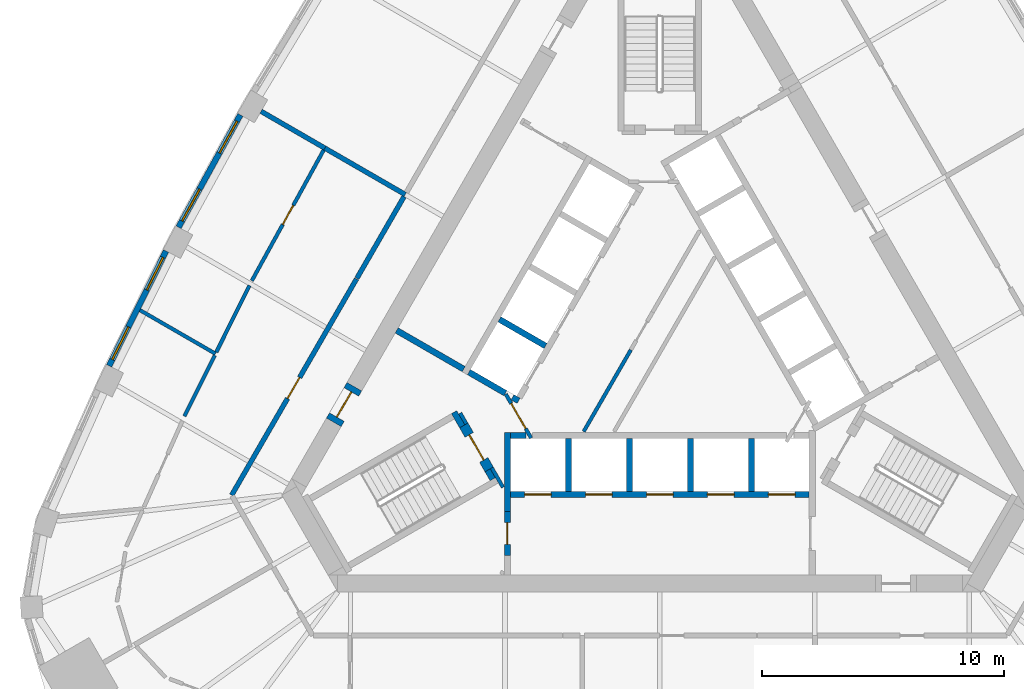
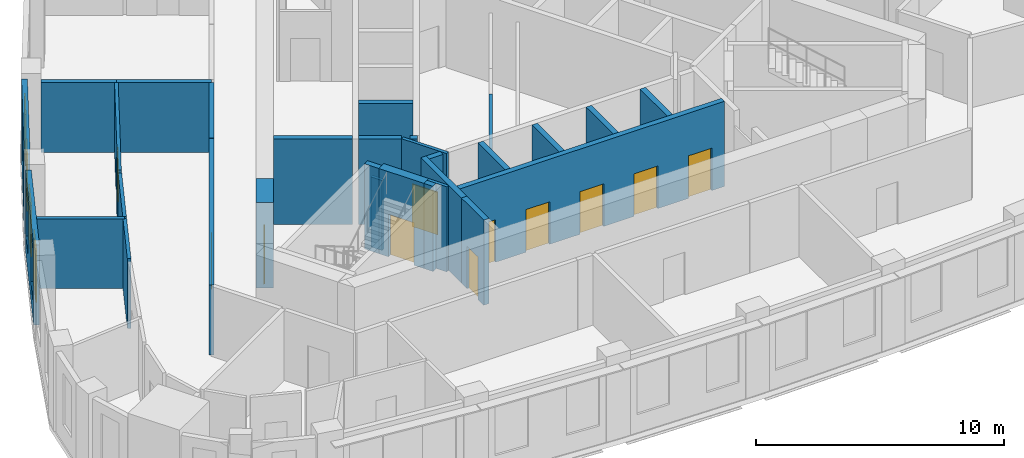
# One storey, part 4 of 10: 30 walls, 11 doors, 4 windows, 15 openings.
"""IFC4 building model written with IfcOpenShell, lengths in metres."""

from ifc_helpers import new_model, si_unit, direction, frame, frame_2d, origin, place, context, subcontext, project, spatial, rectangle, extrude, material, layer, layer_set, type_object, element, fill, save


model = new_model("IFC4")

# Units and contexts
model_context = context("Model", 3, precision=1e-05, world=origin(), true_north=direction((0.0, 1.0)))
body_context = subcontext(model_context, "Body", "Model", "MODEL_VIEW")
ifc_project = project(units=[si_unit("LENGTHUNIT", "METRE"), si_unit("AREAUNIT", "SQUARE_METRE"), si_unit("VOLUMEUNIT", "CUBIC_METRE"), si_unit("PLANEANGLEUNIT", "RADIAN"), si_unit("MASSUNIT", "GRAM", prefix="KILO")], contexts=[model_context])

# Site, building, storey
site_placement = place(None, origin())
site = spatial("IfcSite", under=ifc_project, at=site_placement, CompositionType="ELEMENT")
building_placement = place(site_placement, origin())
building = spatial("IfcBuilding", under=site, at=building_placement, Name="Mestral Congress Tower", CompositionType="ELEMENT")
storey_placement = place(building_placement, frame((0.0, 0.0, 222.60009765625)))
storey = spatial("IfcBuildingStorey", under=building, at=storey_placement, Name="L52", CompositionType="ELEMENT", Elevation=222.60009765625)

# Walls
ifc_material_1 = material(Name="Fire-rated board partition")
ifc_layer_1 = layer(ifc_material_1, 0.14990234375)
ifc_layer_set_1 = layer_set([ifc_layer_1], Name="Fire-rated board partition")
wall_type_1 = type_object("IfcWallType", Name="Core partition 150", PredefinedType="PARTITIONING", material=ifc_layer_set_1)
wall_1_placement = place(storey_placement, frame((-8.251953125, -2.958251953125, 0.0), z_axis=(0.0, 0.0, 1.0), x_axis=(0.500174715838, -0.865924508047, 0.0)))
element("IfcWall", 1, at=wall_1_placement, inside=storey, type_object=wall_type_1, Name="L52 core wall", PredefinedType="PARTITIONING", context=body_context, shape_type="SweptSolid", body=[
    extrude(rectangle(XDim=0.513916015625, YDim=0.14990234375, at=frame_2d((0.2568359375, 0.0))), origin(), (0.0, 0.0, 1.0), 3.449951171875),
])
wall_2_placement = place(storey_placement, frame((-3.146728515625, -3.71826171875, 0.0), z_axis=(0.0, 0.0, 1.0), x_axis=(0.500010131483, 0.866019554291, 0.0)))
element("IfcWall", 2, at=wall_2_placement, inside=storey, type_object=wall_type_1, Name="L52 core wall", PredefinedType="PARTITIONING", context=body_context, shape_type="SweptSolid", body=[
    extrude(rectangle(XDim=3.8935546875, YDim=0.14990234375, at=frame_2d((1.94677734375, 0.0))), origin(), (0.0, 0.0, 1.0), 3.449951171875),
])

# Wall, opening, door
ifc_material_2 = material(Name="Concrete C60/75", Category="concrete")
ifc_layer_2 = layer(ifc_material_2, 0.699951171875)
ifc_layer_set_2 = layer_set([ifc_layer_2], Name="Concrete C60/75")
wall_type_2 = type_object("IfcWallType", Name="Core wall RC 700", PredefinedType="SOLIDWALL", material=ifc_layer_set_2)
wall_3_placement = place(storey_placement, frame((-13.474853515625, -3.339111328125, 0.0), z_axis=(0.0, 0.0, 1.0), x_axis=(0.499954529098, 0.86605165483, 0.0)))
wall_3 = element("IfcWall", 3, at=wall_3_placement, inside=storey, type_object=wall_type_2, Name="L52 door wall", PredefinedType="SOLIDWALL", context=body_context, shape_type="SweptSolid", body=[
    extrude(rectangle(XDim=1.699951171875, YDim=0.699951171875, at=frame_2d((0.85009765625, 0.0))), origin(), (0.0, 0.0, 1.0), 4.199951171875),
])
opening_1_placement = place(wall_3_placement, frame((0.25, 0.0, 0.0)))
opening_1 = element("IfcOpeningElement", 4, at=opening_1_placement, cuts=wall_3, Name="Opening XD3", PredefinedType="OPENING", context=body_context, shape_type="SweptSolid", body=[
    extrude(rectangle(XDim=1.199951171875, YDim=2.10009765625, at=frame_2d((0.60009765625, 1.050048828125))), frame((0.0, 0.35986328125, 0.0), z_axis=(0.0, -1.0, 0.0), x_axis=(1.0, 0.0, 0.0)), (0.0, 0.0, 1.0), 0.719970703125),
])
ifc_material_3 = material(Name="Fire-rated steel door set", Category="steel")
door_type_1 = type_object("IfcDoorType", Name="Core door XD 1200x2100", OperationType="SINGLE_SWING_LEFT", PredefinedType="DOOR", material=ifc_material_3)
door_1_placement = place(opening_1_placement, origin())
door_1 = element("IfcDoor", 5, at=door_1_placement, inside=storey, type_object=door_type_1, Name="Door XD3", OperationType="SINGLE_SWING_LEFT", OverallHeight=2.10009765625, OverallWidth=1.199951171875, PredefinedType="DOOR", context=body_context, shape_type="SweptSolid", body=[
    extrude(rectangle(XDim=1.199951171875, YDim=2.10009765625, at=frame_2d((0.60009765625, 1.050048828125))), frame((0.0, 0.02490234375, 0.0), z_axis=(0.0, -1.0, 0.0), x_axis=(1.0, 0.0, 0.0)), (0.0, 0.0, 1.0), 0.050048828125),
])
fill(opening_1, door_1)

# Wall, openings, windows
ifc_material_4 = material(Name="Precast concrete C40/50 with limestone facing", Category="masonry")
ifc_layer_3 = layer(ifc_material_4, 0.239990234375)
ifc_layer_set_3 = layer_set([ifc_layer_3], Name="Precast concrete C40/50 with limestone facing")
wall_type_3 = type_object("IfcWallType", Name="Facade stone wall 240", PredefinedType="SOLIDWALL", material=ifc_layer_set_3)
wall_4_placement = place(storey_placement, frame((-17.338134765625, 9.367919921875, 0.0), z_axis=(0.0, 0.0, 1.0), x_axis=(-0.481925825015, -0.876212017256, 0.0)))
wall_4 = element("IfcWall", 6, at=wall_4_placement, inside=storey, type_object=wall_type_3, Name="Facade wall F2-03", PredefinedType="SOLIDWALL", context=body_context, shape_type="SweptSolid", body=[
    extrude(rectangle(XDim=5.298583984375, YDim=0.239990234375, at=frame_2d((2.6494140625, 0.0))), origin(), (0.0, 0.0, 1.0), 3.949951171875),
])
opening_2_placement = place(wall_4_placement, frame((0.294677734375, 0.0, 0.89990234375)))
opening_2 = element("IfcOpeningElement", 7, at=opening_2_placement, cuts=wall_4, Name="Opening W4", PredefinedType="OPENING", context=body_context, shape_type="SweptSolid", body=[
    extrude(rectangle(XDim=1.5, YDim=2.550048828125, at=frame_2d((0.75, 1.27490234375))), frame((0.0, 0.1298828125, 0.0), z_axis=(0.0, -1.0, 0.0), x_axis=(1.0, 0.0, 0.0)), (0.0, 0.0, 1.0), 0.260009765625),
])
opening_3_placement = place(wall_4_placement, frame((3.503662109375, 0.0, 0.89990234375)))
opening_3 = element("IfcOpeningElement", 8, at=opening_3_placement, cuts=wall_4, Name="Opening W4", PredefinedType="OPENING", context=body_context, shape_type="SweptSolid", body=[
    extrude(rectangle(XDim=1.5, YDim=2.550048828125, at=frame_2d((0.75, 1.27490234375))), frame((0.0, 0.1298828125, 0.0), z_axis=(0.0, -1.0, 0.0), x_axis=(1.0, 0.0, 0.0)), (0.0, 0.0, 1.0), 0.260009765625),
])
ifc_material_5 = material(Name="Clear low-emissivity double glazing", Category="glass")
window_type = type_object("IfcWindowType", Name="Facade punched window 1500 x 2550 sill 900", PartitioningType="SINGLE_PANEL", PredefinedType="WINDOW", material=ifc_material_5)
window_1_placement = place(opening_2_placement, origin())
window_1 = element("IfcWindow", 9, at=window_1_placement, inside=storey, type_object=window_type, Name="Window F2-03a", OverallHeight=2.550048828125, OverallWidth=1.5, PartitioningType="SINGLE_PANEL", PredefinedType="WINDOW", context=body_context, shape_type="SweptSolid", body=[
    extrude(rectangle(XDim=1.5, YDim=2.550048828125, at=frame_2d((0.75, 1.27490234375))), frame((0.0, 0.0400390625, 0.0), z_axis=(0.0, -1.0, 0.0), x_axis=(1.0, 0.0, 0.0)), (0.0, 0.0, 1.0), 0.06005859375),
])
fill(opening_2, window_1)
window_2_placement = place(opening_3_placement, origin())
window_2 = element("IfcWindow", 10, at=window_2_placement, inside=storey, type_object=window_type, Name="Window F2-03b", OverallHeight=2.550048828125, OverallWidth=1.5, PartitioningType="SINGLE_PANEL", PredefinedType="WINDOW", context=body_context, shape_type="SweptSolid", body=[
    extrude(rectangle(XDim=1.5, YDim=2.550048828125, at=frame_2d((0.75, 1.27490234375))), frame((0.0, 0.0400390625, 0.0), z_axis=(0.0, -1.0, 0.0), x_axis=(1.0, 0.0, 0.0)), (0.0, 0.0, 1.0), 0.06005859375),
])
fill(opening_3, window_2)

wall_5_placement = place(storey_placement, frame((-20.407470703125, 3.739501953125, 0.0), z_axis=(0.0, 0.0, 1.0), x_axis=(-0.445129582031, -0.895466166419, 0.0)))
wall_5 = element("IfcWall", 11, at=wall_5_placement, inside=storey, type_object=wall_type_3, Name="Facade wall F2-04", PredefinedType="SOLIDWALL", context=body_context, shape_type="SweptSolid", body=[
    extrude(rectangle(XDim=5.29833984375, YDim=0.239990234375, at=frame_2d((2.649169921875, 0.0))), origin(), (0.0, 0.0, 1.0), 3.949951171875),
])
opening_4_placement = place(wall_5_placement, frame((0.294677734375, 0.0, 0.89990234375)))
opening_4 = element("IfcOpeningElement", 12, at=opening_4_placement, cuts=wall_5, Name="Opening W4", PredefinedType="OPENING", context=body_context, shape_type="SweptSolid", body=[
    extrude(rectangle(XDim=1.5, YDim=2.550048828125, at=frame_2d((0.75, 1.27490234375))), frame((0.0, 0.1298828125, 0.0), z_axis=(0.0, -1.0, 0.0), x_axis=(1.0, 0.0, 0.0)), (0.0, 0.0, 1.0), 0.260009765625),
])
opening_5_placement = place(wall_5_placement, frame((3.503662109375, 0.0, 0.89990234375)))
opening_5 = element("IfcOpeningElement", 13, at=opening_5_placement, cuts=wall_5, Name="Opening W4", PredefinedType="OPENING", context=body_context, shape_type="SweptSolid", body=[
    extrude(rectangle(XDim=1.5, YDim=2.550048828125, at=frame_2d((0.75, 1.27490234375))), frame((0.0, 0.1298828125, 0.0), z_axis=(0.0, -1.0, 0.0), x_axis=(1.0, 0.0, 0.0)), (0.0, 0.0, 1.0), 0.260009765625),
])
window_3_placement = place(opening_4_placement, origin())
window_3 = element("IfcWindow", 14, at=window_3_placement, inside=storey, type_object=window_type, Name="Window F2-04a", OverallHeight=2.550048828125, OverallWidth=1.5, PartitioningType="SINGLE_PANEL", PredefinedType="WINDOW", context=body_context, shape_type="SweptSolid", body=[
    extrude(rectangle(XDim=1.5, YDim=2.550048828125, at=frame_2d((0.75, 1.27490234375))), frame((0.0, 0.0400390625, 0.0), z_axis=(0.0, -1.0, 0.0), x_axis=(1.0, 0.0, 0.0)), (0.0, 0.0, 1.0), 0.06005859375),
])
fill(opening_4, window_3)
window_4_placement = place(opening_5_placement, origin())
window_4 = element("IfcWindow", 15, at=window_4_placement, inside=storey, type_object=window_type, Name="Window F2-04b", OverallHeight=2.550048828125, OverallWidth=1.5, PartitioningType="SINGLE_PANEL", PredefinedType="WINDOW", context=body_context, shape_type="SweptSolid", body=[
    extrude(rectangle(XDim=1.5, YDim=2.550048828125, at=frame_2d((0.75, 1.27490234375))), frame((0.0, 0.0400390625, 0.0), z_axis=(0.0, -1.0, 0.0), x_axis=(1.0, 0.0, 0.0)), (0.0, 0.0, 1.0), 0.06005859375),
])
fill(opening_5, window_4)

# Wall
ifc_material_6 = material(Name="Plasterboard partition on steel studs", Category="steel")
ifc_layer_4 = layer(ifc_material_6, 0.14990234375)
ifc_layer_set_4 = layer_set([ifc_layer_4], Name="Plasterboard partition on steel studs")
wall_type_4 = type_object("IfcWallType", Name="Office partition 150", PredefinedType="PARTITIONING", material=ifc_layer_set_4)
wall_6_placement = place(storey_placement, frame((-18.36328125, -0.505859375, 0.0), z_axis=(0.0, 0.0, 1.0), x_axis=(-0.866048087663, 0.499960708312, 0.0)))
element("IfcWall", 16, at=wall_6_placement, inside=storey, type_object=wall_type_4, Name="Partition", PredefinedType="PARTITIONING", context=body_context, shape_type="SweptSolid", body=[
    extrude(rectangle(XDim=3.607177734375, YDim=0.14990234375, at=frame_2d((1.8037109375, 0.0))), origin(), (0.0, 0.0, 1.0), 3.449951171875),
])

# Wall, opening, door
wall_7_placement = place(storey_placement, frame((-16.86279296875, 2.5126953125, 0.0), z_axis=(0.0, 0.0, 1.0), x_axis=(0.48192483879, 0.876212559689, 0.0)))
wall_7 = element("IfcWall", 17, at=wall_7_placement, inside=storey, type_object=wall_type_4, Name="Partition", PredefinedType="PARTITIONING", context=body_context, shape_type="SweptSolid", body=[
    extrude(rectangle(XDim=6.15673828125, YDim=0.14990234375, at=frame_2d((3.078369140625, 0.0))), origin(), (0.0, 0.0, 1.0), 3.449951171875),
])
opening_6_placement = place(wall_7_placement, frame((2.65673828125, 0.0, 0.0)))
opening_6 = element("IfcOpeningElement", 18, at=opening_6_placement, cuts=wall_7, Name="Opening O07-013", PredefinedType="OPENING", context=body_context, shape_type="SweptSolid", body=[
    extrude(rectangle(XDim=0.89990234375, YDim=2.10009765625, at=frame_2d((0.449951171875, 1.050048828125))), frame((0.0, 0.0849609375, 0.0), z_axis=(0.0, -1.0, 0.0), x_axis=(1.0, 0.0, 0.0)), (0.0, 0.0, 1.0), 0.169921875),
])
ifc_material_7 = material(Name="Timber door set", Category="wood")
door_type_2 = type_object("IfcDoorType", Name="Office door 900x2100", OperationType="SINGLE_SWING_LEFT", PredefinedType="DOOR", material=ifc_material_7)
door_2_placement = place(opening_6_placement, origin())
door_2 = element("IfcDoor", 19, at=door_2_placement, inside=storey, type_object=door_type_2, Name="Door O07-013", OperationType="SINGLE_SWING_RIGHT", OverallHeight=2.10009765625, OverallWidth=0.89990234375, PredefinedType="DOOR", context=body_context, shape_type="SweptSolid", body=[
    extrude(rectangle(XDim=0.89990234375, YDim=2.10009765625, at=frame_2d((0.449951171875, 1.050048828125))), frame((0.0, 0.02490234375, 0.0), z_axis=(0.0, -1.0, 0.0), x_axis=(1.0, 0.0, 0.0)), (0.0, 0.0, 1.0), 0.050048828125),
])
fill(opening_6, door_2)

# Walls
wall_8_placement = place(storey_placement, frame((-16.958251953125, 2.32080078125, 0.0), z_axis=(0.0, 0.0, 1.0), x_axis=(-0.445184199442, -0.895439014432, 0.0)))
element("IfcWall", 20, at=wall_8_placement, inside=storey, type_object=wall_type_4, Name="Partition", PredefinedType="PARTITIONING", context=body_context, shape_type="SweptSolid", body=[
    extrude(rectangle(XDim=3.08154296875, YDim=0.14990234375, at=frame_2d((1.540771484375, 0.0))), origin(), (0.0, 0.0, 1.0), 3.449951171875),
])
wall_9_placement = place(storey_placement, frame((-18.39697265625, -0.572998046875, 0.0), z_axis=(0.0, 0.0, 1.0), x_axis=(-0.445162501923, -0.89544980143, 0.0)))
element("IfcWall", 21, at=wall_9_placement, inside=storey, type_object=wall_type_4, Name="Partition", PredefinedType="PARTITIONING", context=body_context, shape_type="SweptSolid", body=[
    extrude(rectangle(XDim=2.810791015625, YDim=0.14990234375, at=frame_2d((1.4052734375, 0.0))), origin(), (0.0, 0.0, 1.0), 3.449951171875),
])
ifc_material_8 = material(Name="Dense masonry wall, plastered", Category="masonry")
ifc_layer_5 = layer(ifc_material_8, 0.199951171875)
ifc_layer_set_5 = layer_set([ifc_layer_5], Name="Dense masonry wall, plastered")
wall_type_5 = type_object("IfcWallType", Name="Office tenancy wall 200", PredefinedType="PARTITIONING", material=ifc_layer_set_5)
wall_10_placement = place(storey_placement, frame((-13.84423828125, 7.992919921875, 0.0), z_axis=(0.0, 0.0, 1.0), x_axis=(-0.866003976688, 0.500037110984, 0.0)))
element("IfcWall", 22, at=wall_10_placement, inside=storey, type_object=wall_type_5, Name="Tenancy wall", PredefinedType="PARTITIONING", context=body_context, shape_type="SweptSolid", body=[
    extrude(rectangle(XDim=3.044677734375, YDim=0.199951171875, at=frame_2d((1.5224609375, 0.0))), origin(), (0.0, 0.0, 1.0), 3.449951171875),
])
wall_11_placement = place(storey_placement, frame((-10.522216796875, 6.074951171875, 0.0), z_axis=(0.0, 0.0, 1.0), x_axis=(-0.866002601515, 0.500039492609, 0.0)))
element("IfcWall", 23, at=wall_11_placement, inside=storey, type_object=wall_type_5, Name="Tenancy wall", PredefinedType="PARTITIONING", context=body_context, shape_type="SweptSolid", body=[
    extrude(rectangle(XDim=3.843994140625, YDim=0.199951171875, at=frame_2d((1.921875, 0.0))), origin(), (0.0, 0.0, 1.0), 3.449951171875),
])
wall_12_placement = place(storey_placement, frame((-10.572265625, 5.98828125, 0.0), z_axis=(0.0, 0.0, 1.0), x_axis=(-0.499997012787, -0.866027128446, 0.0)))
element("IfcWall", 24, at=wall_12_placement, inside=storey, type_object=wall_type_5, Name="Tenancy wall", PredefinedType="PARTITIONING", context=body_context, shape_type="SweptSolid", body=[
    extrude(rectangle(XDim=3.89990234375, YDim=0.199951171875, at=frame_2d((1.949951171875, 0.0))), origin(), (0.0, 0.0, 1.0), 3.449951171875),
])

# Wall, opening, door
wall_13_placement = place(storey_placement, frame((-12.537109375, 2.5849609375, 0.0), z_axis=(0.0, 0.0, 1.0), x_axis=(-0.500002393198, -0.866024022066, 0.0)))
wall_13 = element("IfcWall", 25, at=wall_13_placement, inside=storey, type_object=wall_type_5, Name="Tenancy wall", PredefinedType="PARTITIONING", context=body_context, shape_type="SweptSolid", body=[
    extrude(rectangle(XDim=10.3173828125, YDim=0.199951171875, at=frame_2d((5.15869140625, 0.0))), origin(), (0.0, 0.0, 1.0), 3.449951171875),
])
opening_7_placement = place(wall_13_placement, frame((4.699951171875, 0.0, 0.0)))
opening_7 = element("IfcOpeningElement", 26, at=opening_7_placement, cuts=wall_13, Name="Opening O07-016", PredefinedType="OPENING", context=body_context, shape_type="SweptSolid", body=[
    extrude(rectangle(XDim=1.0, YDim=2.10009765625, at=frame_2d((0.5, 1.050048828125))), frame((0.0, 0.10986328125, 0.0), z_axis=(0.0, -1.0, 0.0), x_axis=(1.0, 0.0, 0.0)), (0.0, 0.0, 1.0), 0.219970703125),
])
ifc_material_9 = material(Name="Fire-rated timber door set", Category="wood")
door_type_3 = type_object("IfcDoorType", Name="Office tenancy entrance door 1000x2100", OperationType="SINGLE_SWING_LEFT", PredefinedType="DOOR", material=ifc_material_9)
door_3_placement = place(opening_7_placement, origin())
door_3 = element("IfcDoor", 27, at=door_3_placement, inside=storey, type_object=door_type_3, Name="Door O07-016", OperationType="SINGLE_SWING_RIGHT", OverallHeight=2.10009765625, OverallWidth=1.0, PredefinedType="DOOR", context=body_context, shape_type="SweptSolid", body=[
    extrude(rectangle(XDim=1.0, YDim=2.10009765625, at=frame_2d((0.5, 1.050048828125))), frame((0.0, 0.02490234375, 0.0), z_axis=(0.0, -1.0, 0.0), x_axis=(1.0, 0.0, 0.0)), (0.0, 0.0, 1.0), 0.050048828125),
])
fill(opening_7, door_3)

# Walls
ifc_layer_6 = layer(ifc_material_2, 0.25)
ifc_layer_set_6 = layer_set([ifc_layer_6], Name="Concrete C60/75")
wall_type_6 = type_object("IfcWallType", Name="Shaft wall RC 250", PredefinedType="SOLIDWALL", material=ifc_layer_set_6)
for number, where, z_axis, x_axis, name in (
    (28, (3.780029296875, -4.0, 0.0), (0.0, 0.0, 1.0), (0.0, -1.0, 0.0), "L52 core wall"),
    (29, (1.260009765625, -4.0, 0.0), (0.0, 0.0, 1.0), (0.0, -1.0, 0.0), "L52 core wall"),
    (30, (-1.260009765625, -4.0, 0.0), (0.0, 0.0, 1.0), (0.0, -1.0, 0.0), "L52 core wall"),
    (31, (-3.780029296875, -4.0, 0.0), (0.0, 0.0, 1.0), (0.0, -1.0, 0.0), "L52 core wall"),
):
    element("IfcWall", number, at=place(storey_placement, frame(where, z_axis=z_axis, x_axis=x_axis)), inside=storey, type_object=wall_type_6, Name=name, PredefinedType="SOLIDWALL", context=body_context, shape_type="SweptSolid", body=[
        extrude(rectangle(XDim=2.199951171875, YDim=0.25, at=frame_2d((1.10009765625, 0.0))), origin(), (0.0, 0.0, 1.0), 4.199951171875),
    ])
wall_14_placement = place(storey_placement, frame((-6.300048828125, -7.033447265625, 0.0), z_axis=(0.0, 0.0, 1.0), x_axis=(0.0, 1.0, 0.0)))
element("IfcWall", 32, at=wall_14_placement, inside=storey, type_object=wall_type_6, Name="L52 core wall", PredefinedType="SOLIDWALL", context=body_context, shape_type="SweptSolid", body=[
    extrude(rectangle(XDim=3.283447265625, YDim=0.25, at=frame_2d((1.6416015625, 0.0))), origin(), (0.0, 0.0, 1.0), 4.199951171875),
])
wall_15_placement = place(storey_placement, frame((-6.175048828125, -3.875, 0.0), z_axis=(0.0, 0.0, 1.0), x_axis=(1.0, 0.0, 0.0)))
element("IfcWall", 33, at=wall_15_placement, inside=storey, type_object=wall_type_6, Name="L52 core wall", PredefinedType="SOLIDWALL", context=body_context, shape_type="SweptSolid", body=[
    extrude(rectangle(XDim=0.63671875, YDim=0.25, at=frame_2d((0.318359375, 0.0))), origin(), (0.0, 0.0, 1.0), 4.199951171875),
])
wall_16_placement = place(storey_placement, frame((-4.72412109375, -0.182373046875, 0.0), z_axis=(0.0, 0.0, 1.0), x_axis=(-0.866008176907, 0.50002983664, 0.0)))
element("IfcWall", 34, at=wall_16_placement, inside=storey, type_object=wall_type_6, Name="L52 core wall", PredefinedType="SOLIDWALL", context=body_context, shape_type="SweptSolid", body=[
    extrude(rectangle(XDim=2.199951171875, YDim=0.25, at=frame_2d((1.10009765625, 0.0))), origin(), (0.0, 0.0, 1.0), 4.199951171875),
])
wall_17_placement = place(storey_placement, frame((-6.088134765625, -2.3046875, 0.0), z_axis=(0.0, 0.0, 1.0), x_axis=(0.866059450854, -0.499941024108, 0.0)))
element("IfcWall", 35, at=wall_17_placement, inside=storey, type_object=wall_type_6, Name="L52 core wall", PredefinedType="SOLIDWALL", context=body_context, shape_type="SweptSolid", body=[
    extrude(rectangle(XDim=0.2900390625, YDim=0.25, at=frame_2d((0.14501953125, 0.0))), origin(), (0.0, 0.0, 1.0), 4.199951171875),
])
wall_18_placement = place(storey_placement, frame((-7.889404296875, -1.2646484375, 0.0), z_axis=(0.0, 0.0, 1.0), x_axis=(0.865986741702, -0.500066958712, 0.0)))
element("IfcWall", 36, at=wall_18_placement, inside=storey, type_object=wall_type_6, Name="L52 core wall", PredefinedType="SOLIDWALL", context=body_context, shape_type="SweptSolid", body=[
    extrude(rectangle(XDim=1.738037109375, YDim=0.25, at=frame_2d((0.869140625, 0.0))), origin(), (0.0, 0.0, 1.0), 4.199951171875),
])
wall_19_placement = place(storey_placement, frame((-8.10595703125, -1.139892578125, 0.0), z_axis=(0.0, 0.0, 1.0), x_axis=(-0.866008981251, 0.500028443584, 0.0)))
element("IfcWall", 37, at=wall_19_placement, inside=storey, type_object=wall_type_6, Name="L52 core wall", PredefinedType="SOLIDWALL", context=body_context, shape_type="SweptSolid", body=[
    extrude(rectangle(XDim=3.199951171875, YDim=0.25, at=frame_2d((1.60009765625, 0.0))), origin(), (0.0, 0.0, 1.0), 4.199951171875),
])

# Wall, openings, doors
wall_20_placement = place(storey_placement, frame((-6.175048828125, -6.324951171875, 0.0), z_axis=(0.0, 0.0, 1.0), x_axis=(1.0, 0.0, 0.0)))
wall_20 = element("IfcWall", 38, at=wall_20_placement, inside=storey, type_object=wall_type_6, Name="L52 door wall", PredefinedType="SOLIDWALL", context=body_context, shape_type="SweptSolid", body=[
    extrude(rectangle(XDim=12.35009765625, YDim=0.25, at=frame_2d((6.175048828125, 0.0))), origin(), (0.0, 0.0, 1.0), 4.199951171875),
])
opening_8_placement = place(wall_20_placement, frame((0.5849609375, 0.0, 0.0)))
opening_8 = element("IfcOpeningElement", 39, at=opening_8_placement, cuts=wall_20, Name="Opening LD-SOB1", PredefinedType="OPENING", context=body_context, shape_type="SweptSolid", body=[
    extrude(rectangle(XDim=1.10009765625, YDim=2.10009765625, at=frame_2d((0.550048828125, 1.050048828125))), frame((0.0, 0.135009765625, 0.0), z_axis=(0.0, -1.0, 0.0), x_axis=(1.0, 0.0, 0.0)), (0.0, 0.0, 1.0), 0.27001953125),
])
opening_9_placement = place(wall_20_placement, frame((3.10498046875, 0.0, 0.0)))
opening_9 = element("IfcOpeningElement", 40, at=opening_9_placement, cuts=wall_20, Name="Opening LD-SOB2", PredefinedType="OPENING", context=body_context, shape_type="SweptSolid", body=[
    extrude(rectangle(XDim=1.10009765625, YDim=2.10009765625, at=frame_2d((0.550048828125, 1.050048828125))), frame((0.0, 0.135009765625, 0.0), z_axis=(0.0, -1.0, 0.0), x_axis=(1.0, 0.0, 0.0)), (0.0, 0.0, 1.0), 0.27001953125),
])
opening_10_placement = place(wall_20_placement, frame((5.625, 0.0, 0.0)))
opening_10 = element("IfcOpeningElement", 41, at=opening_10_placement, cuts=wall_20, Name="Opening LD-SOB3", PredefinedType="OPENING", context=body_context, shape_type="SweptSolid", body=[
    extrude(rectangle(XDim=1.10009765625, YDim=2.10009765625, at=frame_2d((0.550048828125, 1.050048828125))), frame((0.0, 0.135009765625, 0.0), z_axis=(0.0, -1.0, 0.0), x_axis=(1.0, 0.0, 0.0)), (0.0, 0.0, 1.0), 0.27001953125),
])
opening_11_placement = place(wall_20_placement, frame((8.14501953125, 0.0, 0.0)))
opening_11 = element("IfcOpeningElement", 42, at=opening_11_placement, cuts=wall_20, Name="Opening LD-SOB4", PredefinedType="OPENING", context=body_context, shape_type="SweptSolid", body=[
    extrude(rectangle(XDim=1.10009765625, YDim=2.10009765625, at=frame_2d((0.550048828125, 1.050048828125))), frame((0.0, 0.135009765625, 0.0), z_axis=(0.0, -1.0, 0.0), x_axis=(1.0, 0.0, 0.0)), (0.0, 0.0, 1.0), 0.27001953125),
])
opening_12_placement = place(wall_20_placement, frame((10.6650390625, 0.0, 0.0)))
opening_12 = element("IfcOpeningElement", 43, at=opening_12_placement, cuts=wall_20, Name="Opening LD-SOB5", PredefinedType="OPENING", context=body_context, shape_type="SweptSolid", body=[
    extrude(rectangle(XDim=1.10009765625, YDim=2.10009765625, at=frame_2d((0.550048828125, 1.050048828125))), frame((0.0, 0.135009765625, 0.0), z_axis=(0.0, -1.0, 0.0), x_axis=(1.0, 0.0, 0.0)), (0.0, 0.0, 1.0), 0.27001953125),
])
door_type_4 = type_object("IfcDoorType", Name="Core door LD 1100x2100", OperationType="DOUBLE_DOOR_SLIDING", PredefinedType="DOOR", material=ifc_material_3)
door_4_placement = place(opening_8_placement, origin())
door_4 = element("IfcDoor", 44, at=door_4_placement, inside=storey, type_object=door_type_4, Name="Door LD-SOB1", OperationType="DOUBLE_DOOR_SLIDING", OverallHeight=2.10009765625, OverallWidth=1.10009765625, PredefinedType="DOOR", context=body_context, shape_type="SweptSolid", body=[
    extrude(rectangle(XDim=1.10009765625, YDim=2.10009765625, at=frame_2d((0.550048828125, 1.050048828125))), frame((0.0, 0.02490234375, 0.0), z_axis=(0.0, -1.0, 0.0), x_axis=(1.0, 0.0, 0.0)), (0.0, 0.0, 1.0), 0.050048828125),
])
fill(opening_8, door_4)
door_5_placement = place(opening_9_placement, origin())
door_5 = element("IfcDoor", 45, at=door_5_placement, inside=storey, type_object=door_type_4, Name="Door LD-SOB2", OperationType="DOUBLE_DOOR_SLIDING", OverallHeight=2.10009765625, OverallWidth=1.10009765625, PredefinedType="DOOR", context=body_context, shape_type="SweptSolid", body=[
    extrude(rectangle(XDim=1.10009765625, YDim=2.10009765625, at=frame_2d((0.550048828125, 1.050048828125))), frame((0.0, 0.02490234375, 0.0), z_axis=(0.0, -1.0, 0.0), x_axis=(1.0, 0.0, 0.0)), (0.0, 0.0, 1.0), 0.050048828125),
])
fill(opening_9, door_5)
door_6_placement = place(opening_10_placement, origin())
door_6 = element("IfcDoor", 46, at=door_6_placement, inside=storey, type_object=door_type_4, Name="Door LD-SOB3", OperationType="DOUBLE_DOOR_SLIDING", OverallHeight=2.10009765625, OverallWidth=1.10009765625, PredefinedType="DOOR", context=body_context, shape_type="SweptSolid", body=[
    extrude(rectangle(XDim=1.10009765625, YDim=2.10009765625, at=frame_2d((0.550048828125, 1.050048828125))), frame((0.0, 0.02490234375, 0.0), z_axis=(0.0, -1.0, 0.0), x_axis=(1.0, 0.0, 0.0)), (0.0, 0.0, 1.0), 0.050048828125),
])
fill(opening_10, door_6)
door_7_placement = place(opening_11_placement, origin())
door_7 = element("IfcDoor", 47, at=door_7_placement, inside=storey, type_object=door_type_4, Name="Door LD-SOB4", OperationType="DOUBLE_DOOR_SLIDING", OverallHeight=2.10009765625, OverallWidth=1.10009765625, PredefinedType="DOOR", context=body_context, shape_type="SweptSolid", body=[
    extrude(rectangle(XDim=1.10009765625, YDim=2.10009765625, at=frame_2d((0.550048828125, 1.050048828125))), frame((0.0, 0.02490234375, 0.0), z_axis=(0.0, -1.0, 0.0), x_axis=(1.0, 0.0, 0.0)), (0.0, 0.0, 1.0), 0.050048828125),
])
fill(opening_11, door_7)
door_8_placement = place(opening_12_placement, origin())
door_8 = element("IfcDoor", 48, at=door_8_placement, inside=storey, type_object=door_type_4, Name="Door LD-SOB5", OperationType="DOUBLE_DOOR_SLIDING", OverallHeight=2.10009765625, OverallWidth=1.10009765625, PredefinedType="DOOR", context=body_context, shape_type="SweptSolid", body=[
    extrude(rectangle(XDim=1.10009765625, YDim=2.10009765625, at=frame_2d((0.550048828125, 1.050048828125))), frame((0.0, 0.02490234375, 0.0), z_axis=(0.0, -1.0, 0.0), x_axis=(1.0, 0.0, 0.0)), (0.0, 0.0, 1.0), 0.050048828125),
])
fill(opening_12, door_8)

# Wall, opening, door
wall_21_placement = place(storey_placement, frame((-6.300048828125, -7.03369140625, 0.0), z_axis=(0.0, 0.0, 1.0), x_axis=(0.0, -1.0, 0.0)))
wall_21 = element("IfcWall", 49, at=wall_21_placement, inside=storey, type_object=wall_type_6, Name="L52 door wall", PredefinedType="SOLIDWALL", context=body_context, shape_type="SweptSolid", body=[
    extrude(rectangle(XDim=1.7998046875, YDim=0.25, at=frame_2d((0.89990234375, 0.0))), origin(), (0.0, 0.0, 1.0), 4.199951171875),
])
opening_13_placement = place(wall_21_placement, frame((0.449951171875, 0.0, 0.0)))
opening_13 = element("IfcOpeningElement", 50, at=opening_13_placement, cuts=wall_21, Name="Opening TD3", PredefinedType="OPENING", context=body_context, shape_type="SweptSolid", body=[
    extrude(rectangle(XDim=0.89990234375, YDim=2.10009765625, at=frame_2d((0.449951171875, 1.050048828125))), frame((0.0, 0.135009765625, 0.0), z_axis=(0.0, -1.0, 0.0), x_axis=(1.0, 0.0, 0.0)), (0.0, 0.0, 1.0), 0.27001953125),
])
door_type_5 = type_object("IfcDoorType", Name="Core door SR 900x2100", OperationType="SINGLE_SWING_LEFT", PredefinedType="DOOR", material=ifc_material_3)
door_9_placement = place(opening_13_placement, origin())
door_9 = element("IfcDoor", 51, at=door_9_placement, inside=storey, type_object=door_type_5, Name="Door TD3", OperationType="SINGLE_SWING_LEFT", OverallHeight=2.10009765625, OverallWidth=0.89990234375, PredefinedType="DOOR", context=body_context, shape_type="SweptSolid", body=[
    extrude(rectangle(XDim=0.89990234375, YDim=2.10009765625, at=frame_2d((0.449951171875, 1.050048828125))), frame((0.0, 0.02490234375, 0.0), z_axis=(0.0, -1.0, 0.0), x_axis=(1.0, 0.0, 0.0)), (0.0, 0.0, 1.0), 0.050048828125),
])
fill(opening_13, door_9)

# Wall
ifc_layer_7 = layer(ifc_material_2, 0.14990234375)
ifc_layer_set_7 = layer_set([ifc_layer_7], Name="Concrete C60/75")
wall_type_7 = type_object("IfcWallType", Name="Shaft wall RC 250 door-wall 150", PredefinedType="SOLIDWALL", material=ifc_layer_set_7)
wall_22_placement = place(storey_placement, frame((-6.48046875, -6.026611328125, 0.0), z_axis=(0.0, 0.0, 1.0), x_axis=(-0.499927229454, 0.866067413802, 0.0)))
element("IfcWall", 52, at=wall_22_placement, inside=storey, type_object=wall_type_7, Name="L52 core wall", PredefinedType="PARTITIONING", context=body_context, shape_type="SweptSolid", body=[
    extrude(rectangle(XDim=0.928955078125, YDim=0.14990234375, at=frame_2d((0.46435546875, 0.0))), origin(), (0.0, 0.0, 1.0), 4.199951171875),
])

# Wall, opening, door
wall_23_placement = place(storey_placement, frame((-5.3173828125, -3.98974609375, 0.0), z_axis=(0.0, 0.0, 1.0), x_axis=(-0.500027713859, 0.866009402589, 0.0)))
wall_23 = element("IfcWall", 53, at=wall_23_placement, inside=storey, type_object=wall_type_7, Name="L52 door wall", PredefinedType="PARTITIONING", context=body_context, shape_type="SweptSolid", body=[
    extrude(rectangle(XDim=2.10009765625, YDim=0.14990234375, at=frame_2d((1.050048828125, 0.0))), origin(), (0.0, 0.0, 1.0), 4.199951171875),
])
opening_14_placement = place(wall_23_placement, frame((0.449951171875, 0.0, 0.0)))
opening_14 = element("IfcOpeningElement", 54, at=opening_14_placement, cuts=wall_23, Name="Opening CD3-FF", PredefinedType="OPENING", context=body_context, shape_type="SweptSolid", body=[
    extrude(rectangle(XDim=1.199951171875, YDim=2.10009765625, at=frame_2d((0.60009765625, 1.050048828125))), frame((0.0, 0.0849609375, 0.0), z_axis=(0.0, -1.0, 0.0), x_axis=(1.0, 0.0, 0.0)), (0.0, 0.0, 1.0), 0.169921875),
])
door_type_6 = type_object("IfcDoorType", Name="Core door CD 1200x2100", OperationType="SINGLE_SWING_LEFT", PredefinedType="DOOR", material=ifc_material_3)
door_10_placement = place(opening_14_placement, origin())
door_10 = element("IfcDoor", 55, at=door_10_placement, inside=storey, type_object=door_type_6, Name="Door CD3-FF", OperationType="SINGLE_SWING_LEFT", OverallHeight=2.10009765625, OverallWidth=1.199951171875, PredefinedType="DOOR", context=body_context, shape_type="SweptSolid", body=[
    extrude(rectangle(XDim=1.199951171875, YDim=2.10009765625, at=frame_2d((0.60009765625, 1.050048828125))), frame((0.0, 0.02490234375, 0.0), z_axis=(0.0, -1.0, 0.0), x_axis=(1.0, 0.0, 0.0)), (0.0, 0.0, 1.0), 0.050048828125),
])
fill(opening_14, door_10)

# Walls
ifc_layer_8 = layer(ifc_material_2, 0.25)
ifc_layer_set_8 = layer_set([ifc_layer_8], Name="Concrete C60/75")
wall_type_8 = type_object("IfcWallType", Name="Stair wall RC 250", PredefinedType="SOLIDWALL", material=ifc_layer_set_8)
wall_24_placement = place(storey_placement, frame((-8.167724609375, -3.503173828125, 0.0), z_axis=(0.0, 0.0, 1.0), x_axis=(-0.499952099219, 0.866053057547, 0.0)))
element("IfcWall", 56, at=wall_24_placement, inside=storey, type_object=wall_type_8, Name="L52 core wall", PredefinedType="SOLIDWALL", context=body_context, shape_type="SweptSolid", body=[
    extrude(rectangle(XDim=0.6748046875, YDim=0.25, at=frame_2d((0.33740234375, 0.0))), origin(), (0.0, 0.0, 1.0), 4.199951171875),
])
wall_25_placement = place(storey_placement, frame((-6.905029296875, -5.68994140625, 0.0), z_axis=(0.0, 0.0, 1.0), x_axis=(-0.500402024738, 0.865793170242, 0.0)))
element("IfcWall", 57, at=wall_25_placement, inside=storey, type_object=wall_type_8, Name="L52 core wall", PredefinedType="SOLIDWALL", context=body_context, shape_type="SweptSolid", body=[
    extrude(rectangle(XDim=0.425048828125, YDim=0.25, at=frame_2d((0.21240234375, 0.0))), origin(), (0.0, 0.0, 1.0), 4.199951171875),
])

# Wall, opening, door
ifc_layer_9 = layer(ifc_material_2, 0.39990234375)
ifc_layer_set_9 = layer_set([ifc_layer_9], Name="Concrete C60/75")
wall_type_9 = type_object("IfcWallType", Name="Stair wall RC 250 door-wall 400", PredefinedType="SOLIDWALL", material=ifc_layer_set_9)
wall_26_placement = place(storey_placement, frame((-8.102783203125, -3.4658203125, 0.0), z_axis=(0.0, 0.0, 1.0), x_axis=(0.500078061341, -0.865980330357, 0.0)))
wall_26 = element("IfcWall", 58, at=wall_26_placement, inside=storey, type_object=wall_type_9, Name="L52 door wall", PredefinedType="SOLIDWALL", context=body_context, shape_type="SweptSolid", body=[
    extrude(rectangle(XDim=2.099853515625, YDim=0.39990234375, at=frame_2d((1.0498046875, 0.0))), origin(), (0.0, 0.0, 1.0), 4.199951171875),
])
opening_15_placement = place(wall_26_placement, frame((0.449951171875, 0.0, 0.0)))
opening_15 = element("IfcOpeningElement", 59, at=opening_15_placement, cuts=wall_26, Name="Opening ST-D3", PredefinedType="OPENING", context=body_context, shape_type="SweptSolid", body=[
    extrude(rectangle(XDim=1.199951171875, YDim=2.10009765625, at=frame_2d((0.60009765625, 1.050048828125))), frame((0.0, 0.2099609375, 0.0), z_axis=(0.0, -1.0, 0.0), x_axis=(1.0, 0.0, 0.0)), (0.0, 0.0, 1.0), 0.419921875),
])
door_type_7 = type_object("IfcDoorType", Name="Core door ST 1200x2100", OperationType="SINGLE_SWING_LEFT", PredefinedType="DOOR", material=ifc_material_3)
door_11_placement = place(opening_15_placement, origin())
door_11 = element("IfcDoor", 60, at=door_11_placement, inside=storey, type_object=door_type_7, Name="Door ST-D3", OperationType="SINGLE_SWING_LEFT", OverallHeight=2.10009765625, OverallWidth=1.199951171875, PredefinedType="DOOR", context=body_context, shape_type="SweptSolid", body=[
    extrude(rectangle(XDim=1.199951171875, YDim=2.10009765625, at=frame_2d((0.60009765625, 1.050048828125))), frame((0.0, 0.02490234375, 0.0), z_axis=(0.0, -1.0, 0.0), x_axis=(1.0, 0.0, 0.0)), (0.0, 0.0, 1.0), 0.050048828125),
])
fill(opening_15, door_11)

save(model, "model.ifc")
